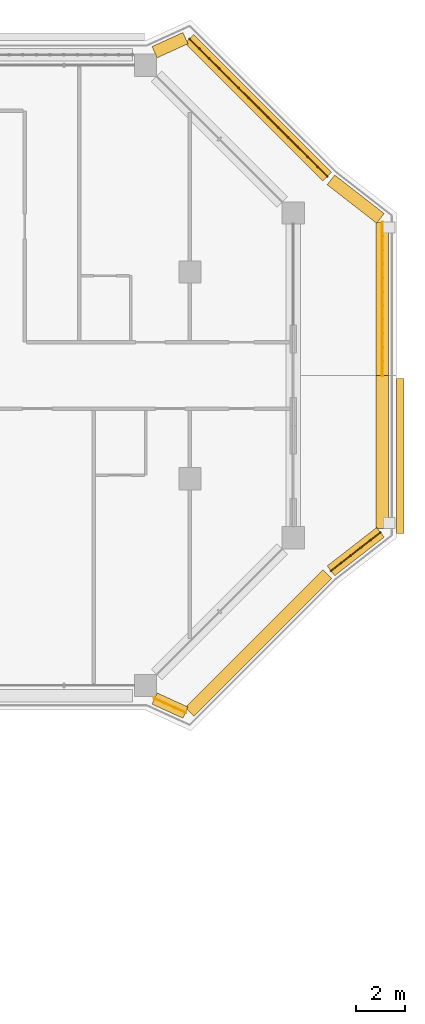
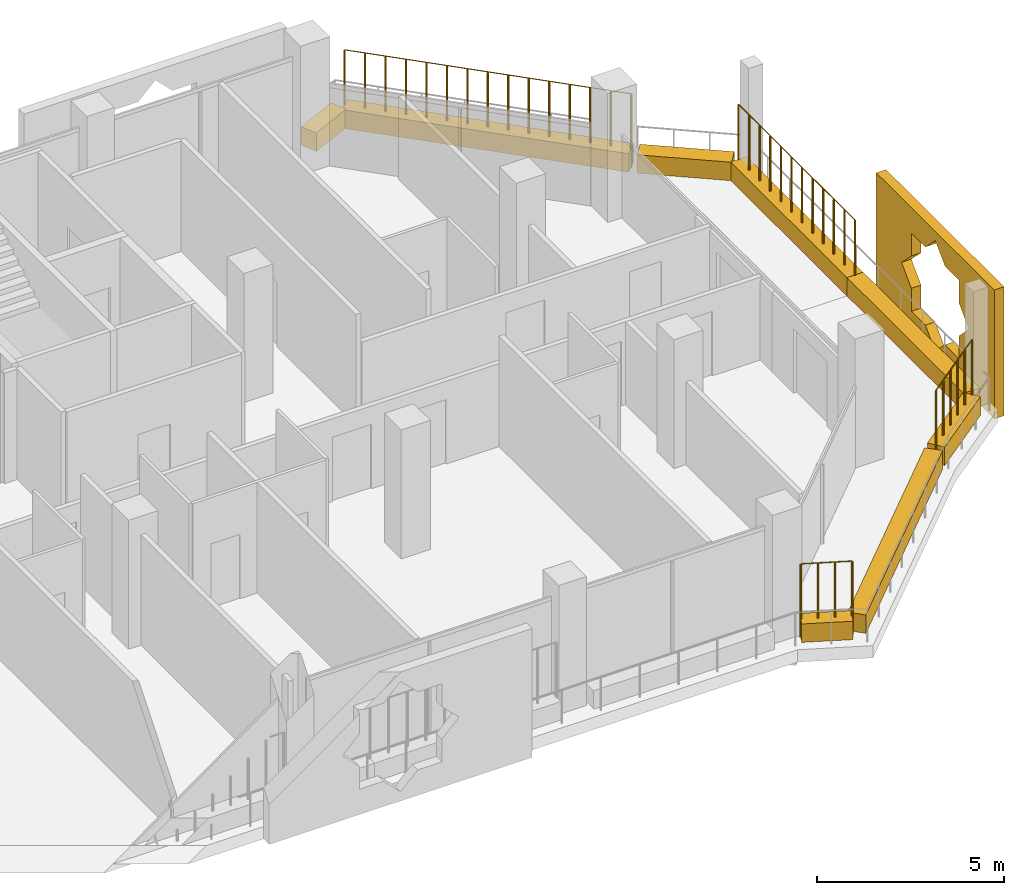
# One storey, part 22 of 22: 9 coverings, 4 railings.
"""IFC4 building model written with IfcOpenShell, lengths in metres."""

from ifc_helpers import new_model, si_unit, direction, frame, origin, origin_2d, place, context, subcontext, project, spatial, polyline, rectangle, circle, outline, extrude, material, material_profile, profile_set, type_object, element, save


model = new_model("IFC4")

# Units and contexts
model_context = context("Model", 3, precision=1e-05, world=origin(), true_north=direction((0.0, 1.0)))
body_context = subcontext(model_context, "Body", "Model", "MODEL_VIEW")
ifc_project = project(units=[si_unit("LENGTHUNIT", "METRE"), si_unit("AREAUNIT", "SQUARE_METRE"), si_unit("VOLUMEUNIT", "CUBIC_METRE"), si_unit("PLANEANGLEUNIT", "RADIAN"), si_unit("MASSUNIT", "GRAM", prefix="KILO")], contexts=[model_context])

# Site, building, storey
site_placement = place(None, origin())
site = spatial("IfcSite", under=ifc_project, at=site_placement, CompositionType="ELEMENT")
building_placement = place(site_placement, origin())
building = spatial("IfcBuilding", under=site, at=building_placement, Name="Kawkab Arch Medical Tower", CompositionType="ELEMENT")
storey_placement = place(building_placement, frame((0.0, 0.0, 251.60009765625)))
storey = spatial("IfcBuildingStorey", under=building, at=storey_placement, Name="L58", CompositionType="ELEMENT", Elevation=251.60009765625)

# Coverings
ifc_material_1 = material(Name="Bronze anodised aluminium mashrabiya panel, eight-point star pattern", Category="aluminium")
ifc_material_profile_1 = material_profile(ifc_material_1, outline(polyline([(-3.14990234375, -2.10009765625), (3.14990234375, -2.10009765625), (3.14990234375, 2.10009765625), (-3.14990234375, 2.10009765625), (-3.14990234375, -2.10009765625)]), holes=[polyline([(1.800048828125, 0.0), (1.272705078125, 0.527099609375), (1.272705078125, 1.272705078125), (0.527099609375, 1.272705078125), (0.0, 1.800048828125), (-0.527099609375, 1.272705078125), (-1.272705078125, 1.272705078125), (-1.272705078125, 0.527099609375), (-1.800048828125, 0.0), (-1.272705078125, -0.527099609375), (-1.272705078125, -1.272705078125), (-0.527099609375, -1.272705078125), (0.0, -1.800048828125), (0.527099609375, -1.272705078125), (1.272705078125, -1.272705078125), (1.272705078125, -0.527099609375), (1.800048828125, 0.0)])]), Name="Mashrabiya panel 6300x4200")
ifc_profile_set_1 = profile_set([ifc_material_profile_1], Name="Bronze anodised aluminium mashrabiya panel, eight-point star pattern")
covering_type_1 = type_object("IfcCoveringType", Name="Mashrabiya panel 6300 x 4200", PredefinedType="USERDEFINED", material=ifc_profile_set_1)
covering_1_placement = place(storey_placement, frame((67.199951171875, -15.877685546875, 1.699951171875), z_axis=(1.0, 0.0, 0.0), x_axis=(0.0, 1.0, 0.0)))
element("IfcCovering", 1, at=covering_1_placement, inside=storey, type_object=covering_type_1, Name="Mashrabiya panel L58.LOG-01-01.9", ObjectType="SCREEN", PredefinedType="USERDEFINED", context=body_context, shape_type="SweptSolid", body=[
    extrude(outline(polyline([(-3.14990234375, -2.10009765625), (3.14990234375, -2.10009765625), (3.14990234375, 2.10009765625), (-3.14990234375, 2.10009765625), (-3.14990234375, -2.10009765625)]), holes=[polyline([(1.800048828125, 0.0), (1.272705078125, 0.527099609375), (1.272705078125, 1.272705078125), (0.527099609375, 1.272705078125), (0.0, 1.800048828125), (-0.527099609375, 1.272705078125), (-1.272705078125, 1.272705078125), (-1.272705078125, 0.527099609375), (-1.800048828125, 0.0), (-1.272705078125, -0.527099609375), (-1.272705078125, -1.272705078125), (-0.527099609375, -1.272705078125), (0.0, -1.800048828125), (0.527099609375, -1.272705078125), (1.272705078125, -1.272705078125), (1.272705078125, -0.527099609375), (1.800048828125, 0.0)])]), origin(), (0.0, 0.0, 1.0), 0.300048828125),
])
ifc_material_2 = material(Name="Planting soil in a precast trough", Category="concrete")
ifc_material_profile_2 = material_profile(ifc_material_2, rectangle(XDim=0.5, YDim=0.60009765625, at=origin_2d()), Name="Trough 500x600")
ifc_profile_set_2 = profile_set([ifc_material_profile_2], Name="Planting soil in a precast trough")
covering_type_2 = type_object("IfcCoveringType", Name="Planter trough 500 x 600", PredefinedType="USERDEFINED", material=ifc_profile_set_2)
covering_2_placement = place(storey_placement, frame((57.366943359375, 0.530029296875, 0.2998046875), z_axis=(0.909831953447, 0.41497688669, 0.0), x_axis=(-0.41497688669, 0.909831953447, 0.0)))
element("IfcCovering", 2, at=covering_2_placement, inside=storey, type_object=covering_type_2, Name="Planter L58.LOG-01-01.24", ObjectType="PLANTER", PredefinedType="USERDEFINED", context=body_context, shape_type="SweptSolid", body=[
    extrude(rectangle(XDim=0.5, YDim=0.60009765625, at=origin_2d()), origin(), (0.0, 0.0, 1.0), 1.37841796875),
])
covering_3_placement = place(storey_placement, frame((58.782958984375, 1.072998046875, 0.2998046875), z_axis=(0.707106781187, -0.707106781187, 0.0), x_axis=(0.707106781187, 0.707106781187, 0.0)))
element("IfcCovering", 3, at=covering_3_placement, inside=storey, type_object=covering_type_2, Name="Planter L58.LOG-01-01.25", ObjectType="PLANTER", PredefinedType="USERDEFINED", context=body_context, shape_type="SweptSolid", body=[
    extrude(rectangle(XDim=0.5, YDim=0.60009765625, at=origin_2d()), origin(), (0.0, 0.0, 1.0), 7.919677734375),
])
covering_4_placement = place(storey_placement, frame((64.531982421875, -4.658935546875, 0.2998046875), z_axis=(0.789274742246, -0.61404021143, 0.0), x_axis=(0.61404021143, 0.789274742246, 0.0)))
element("IfcCovering", 4, at=covering_4_placement, inside=storey, type_object=covering_type_2, Name="Planter L58.LOG-01-01.26", ObjectType="PLANTER", PredefinedType="USERDEFINED", context=body_context, shape_type="SweptSolid", body=[
    extrude(rectangle(XDim=0.5, YDim=0.60009765625, at=origin_2d()), origin(), (0.0, 0.0, 1.0), 2.54541015625),
])
covering_5_placement = place(storey_placement, frame((66.6201171875, -6.384033203125, 0.2998046875), z_axis=(0.0, -1.0, 0.0), x_axis=(1.0, 0.0, 0.0)))
element("IfcCovering", 5, at=covering_5_placement, inside=storey, type_object=covering_type_2, Name="Planter L58.LOG-01-01.27", ObjectType="PLANTER", PredefinedType="USERDEFINED", context=body_context, shape_type="SweptSolid", body=[
    extrude(rectangle(XDim=0.5, YDim=0.60009765625, at=origin_2d()), origin(), (0.0, 0.0, 1.0), 6.216064453125),
])
covering_6_placement = place(storey_placement, frame((66.6201171875, -12.60009765625, 0.2998046875), z_axis=(0.0, -1.0, 0.0), x_axis=(1.0, 0.0, 0.0)))
element("IfcCovering", 6, at=covering_6_placement, inside=storey, type_object=covering_type_2, Name="Planter L58.LOG-01-01.28", ObjectType="PLANTER", PredefinedType="USERDEFINED", context=body_context, shape_type="SweptSolid", body=[
    extrude(rectangle(XDim=0.5, YDim=0.60009765625, at=origin_2d()), origin(), (0.0, 0.0, 1.0), 6.2158203125),
])
covering_7_placement = place(storey_placement, frame((66.541015625, -18.97802734375, 0.2998046875), z_axis=(-0.789274742246, -0.61404021143, 0.0), x_axis=(0.61404021143, -0.789274742246, 0.0)))
element("IfcCovering", 7, at=covering_7_placement, inside=storey, type_object=covering_type_2, Name="Planter L58.LOG-01-01.29", ObjectType="PLANTER", PredefinedType="USERDEFINED", context=body_context, shape_type="SweptSolid", body=[
    extrude(rectangle(XDim=0.5, YDim=0.60009765625, at=origin_2d()), origin(), (0.0, 0.0, 1.0), 2.54541015625),
])
covering_8_placement = place(storey_placement, frame((64.383056640625, -20.673095703125, 0.2998046875), z_axis=(-0.70712219479, -0.707091367247, 0.0), x_axis=(0.707091367247, -0.70712219479, 0.0)))
element("IfcCovering", 8, at=covering_8_placement, inside=storey, type_object=covering_type_2, Name="Planter L58.LOG-01-01.30", ObjectType="PLANTER", PredefinedType="USERDEFINED", context=body_context, shape_type="SweptSolid", body=[
    extrude(rectangle(XDim=0.5, YDim=0.60009765625, at=origin_2d()), origin(), (0.0, 0.0, 1.0), 7.919677734375),
])
covering_9_placement = place(storey_placement, frame((58.62109375, -26.302001953125, 0.2998046875), z_axis=(-0.909831953447, 0.41497688669, 0.0), x_axis=(-0.41497688669, -0.909831953447, 0.0)))
element("IfcCovering", 9, at=covering_9_placement, inside=storey, type_object=covering_type_2, Name="Planter L58.LOG-01-01.31", ObjectType="PLANTER", PredefinedType="USERDEFINED", context=body_context, shape_type="SweptSolid", body=[
    extrude(rectangle(XDim=0.5, YDim=0.60009765625, at=origin_2d()), origin(), (0.0, 0.0, 1.0), 1.37841796875),
])

# Railings
ifc_material_3 = material(Name="Bronze anodised aluminium trellis for climbing plants", Category="aluminium")
railing_type = type_object("IfcRailingType", Name="Planting trellis 2400", PredefinedType="USERDEFINED", material=ifc_material_3)
railing_1_placement = place(storey_placement, frame((58.782958984375, 1.072998046875, 0.0)))
element("IfcRailing", 10, at=railing_1_placement, inside=storey, type_object=railing_type, Name="Planting trellis L58.LOG-01-01.25", ObjectType="TRELLIS", PredefinedType="USERDEFINED", context=body_context, shape_type="SweptSolid", body=[
    extrude(circle(Radius=0.01513671875, at=origin_2d()), frame((0.0, 0.0, 2.384765625), z_axis=(0.707106781187, -0.707106781187, 0.0), x_axis=(0.707106781187, 0.707106781187, 0.0)), (0.0, 0.0, 1.0), 7.919677734375),
    extrude(circle(Radius=0.030029296875, at=origin_2d()), origin(), (0.0, 0.0, 1.0), 2.369873046875),
    extrude(circle(Radius=0.030029296875, at=origin_2d()), frame((0.39990234375, -0.39990234375, 0.0)), (0.0, 0.0, 1.0), 2.369873046875),
    extrude(circle(Radius=0.030029296875, at=origin_2d()), frame((0.800048828125, -0.800048828125, 0.0)), (0.0, 0.0, 1.0), 2.369873046875),
    extrude(circle(Radius=0.030029296875, at=origin_2d()), frame((1.199951171875, -1.199951171875, 0.0)), (0.0, 0.0, 1.0), 2.369873046875),
    extrude(circle(Radius=0.030029296875, at=origin_2d()), frame((1.60009765625, -1.60009765625, 0.0)), (0.0, 0.0, 1.0), 2.369873046875),
    extrude(circle(Radius=0.030029296875, at=origin_2d()), frame((2.0, -2.0, 0.0)), (0.0, 0.0, 1.0), 2.369873046875),
    extrude(circle(Radius=0.030029296875, at=origin_2d()), frame((2.400146484375, -2.400146484375, 0.0)), (0.0, 0.0, 1.0), 2.369873046875),
    extrude(circle(Radius=0.030029296875, at=origin_2d()), frame((2.800048828125, -2.800048828125, 0.0)), (0.0, 0.0, 1.0), 2.369873046875),
    extrude(circle(Radius=0.030029296875, at=origin_2d()), frame((3.199951171875, -3.199951171875, 0.0)), (0.0, 0.0, 1.0), 2.369873046875),
    extrude(circle(Radius=0.030029296875, at=origin_2d()), frame((3.60009765625, -3.60009765625, 0.0)), (0.0, 0.0, 1.0), 2.369873046875),
    extrude(circle(Radius=0.030029296875, at=origin_2d()), frame((4.0, -4.0, 0.0)), (0.0, 0.0, 1.0), 2.369873046875),
    extrude(circle(Radius=0.030029296875, at=origin_2d()), frame((4.400146484375, -4.400146484375, 0.0)), (0.0, 0.0, 1.0), 2.369873046875),
    extrude(circle(Radius=0.030029296875, at=origin_2d()), frame((4.800048828125, -4.800048828125, 0.0)), (0.0, 0.0, 1.0), 2.369873046875),
    extrude(circle(Radius=0.030029296875, at=origin_2d()), frame((5.2001953125, -5.2001953125, 0.0)), (0.0, 0.0, 1.0), 2.369873046875),
    extrude(circle(Radius=0.030029296875, at=origin_2d()), frame((5.60009765625, -5.60009765625, 0.0)), (0.0, 0.0, 1.0), 2.369873046875),
])
railing_2_placement = place(storey_placement, frame((66.6201171875, -6.384033203125, 0.0)))
element("IfcRailing", 11, at=railing_2_placement, inside=storey, type_object=railing_type, Name="Planting trellis L58.LOG-01-01.27", ObjectType="TRELLIS", PredefinedType="USERDEFINED", context=body_context, shape_type="SweptSolid", body=[
    extrude(circle(Radius=0.01513671875, at=origin_2d()), frame((0.0, 0.0, 2.384765625), z_axis=(0.0, -1.0, 0.0), x_axis=(1.0, 0.0, 0.0)), (0.0, 0.0, 1.0), 6.216064453125),
    extrude(circle(Radius=0.030029296875, at=origin_2d()), origin(), (0.0, 0.0, 1.0), 2.369873046875),
    extrude(circle(Radius=0.030029296875, at=origin_2d()), frame((0.0, -0.565185546875, 0.0)), (0.0, 0.0, 1.0), 2.369873046875),
    extrude(circle(Radius=0.030029296875, at=origin_2d()), frame((0.0, -1.130126953125, 0.0)), (0.0, 0.0, 1.0), 2.369873046875),
    extrude(circle(Radius=0.030029296875, at=origin_2d()), frame((0.0, -1.6953125, 0.0)), (0.0, 0.0, 1.0), 2.369873046875),
    extrude(circle(Radius=0.030029296875, at=origin_2d()), frame((0.0, -2.260498046875, 0.0)), (0.0, 0.0, 1.0), 2.369873046875),
    extrude(circle(Radius=0.030029296875, at=origin_2d()), frame((0.0, -2.825439453125, 0.0)), (0.0, 0.0, 1.0), 2.369873046875),
    extrude(circle(Radius=0.030029296875, at=origin_2d()), frame((0.0, -3.390625, 0.0)), (0.0, 0.0, 1.0), 2.369873046875),
    extrude(circle(Radius=0.030029296875, at=origin_2d()), frame((0.0, -3.95556640625, 0.0)), (0.0, 0.0, 1.0), 2.369873046875),
    extrude(circle(Radius=0.030029296875, at=origin_2d()), frame((0.0, -4.520751953125, 0.0)), (0.0, 0.0, 1.0), 2.369873046875),
    extrude(circle(Radius=0.030029296875, at=origin_2d()), frame((0.0, -5.0859375, 0.0)), (0.0, 0.0, 1.0), 2.369873046875),
    extrude(circle(Radius=0.030029296875, at=origin_2d()), frame((0.0, -5.65087890625, 0.0)), (0.0, 0.0, 1.0), 2.369873046875),
    extrude(circle(Radius=0.030029296875, at=origin_2d()), frame((0.0, -6.216064453125, 0.0)), (0.0, 0.0, 1.0), 2.369873046875),
])
railing_3_placement = place(storey_placement, frame((66.541015625, -18.97802734375, 0.0)))
element("IfcRailing", 12, at=railing_3_placement, inside=storey, type_object=railing_type, Name="Planting trellis L58.LOG-01-01.29", ObjectType="TRELLIS", PredefinedType="USERDEFINED", context=body_context, shape_type="SweptSolid", body=[
    extrude(circle(Radius=0.01513671875, at=origin_2d()), frame((0.0, 0.0, 2.384765625), z_axis=(-0.789274742246, -0.61404021143, 0.0), x_axis=(0.61404021143, -0.789274742246, 0.0)), (0.0, 0.0, 1.0), 2.54541015625),
    extrude(circle(Radius=0.030029296875, at=origin_2d()), origin(), (0.0, 0.0, 1.0), 2.369873046875),
    extrude(circle(Radius=0.030029296875, at=origin_2d()), frame((-0.40185546875, -0.3125, 0.0)), (0.0, 0.0, 1.0), 2.369873046875),
    extrude(circle(Radius=0.030029296875, at=origin_2d()), frame((-0.8037109375, -0.625244140625, 0.0)), (0.0, 0.0, 1.0), 2.369873046875),
    extrude(circle(Radius=0.030029296875, at=origin_2d()), frame((-1.205322265625, -0.937744140625, 0.0)), (0.0, 0.0, 1.0), 2.369873046875),
    extrude(circle(Radius=0.030029296875, at=origin_2d()), frame((-1.607177734375, -1.25048828125, 0.0)), (0.0, 0.0, 1.0), 2.369873046875),
    extrude(circle(Radius=0.030029296875, at=origin_2d()), frame((-2.009033203125, -1.56298828125, 0.0)), (0.0, 0.0, 1.0), 2.369873046875),
])
railing_4_placement = place(storey_placement, frame((58.62109375, -26.302001953125, 0.0)))
element("IfcRailing", 13, at=railing_4_placement, inside=storey, type_object=railing_type, Name="Planting trellis L58.LOG-01-01.31", ObjectType="TRELLIS", PredefinedType="USERDEFINED", context=body_context, shape_type="SweptSolid", body=[
    extrude(circle(Radius=0.01513671875, at=origin_2d()), frame((0.0, 0.0, 2.384765625), z_axis=(-0.909831953447, 0.41497688669, 0.0), x_axis=(-0.41497688669, -0.909831953447, 0.0)), (0.0, 0.0, 1.0), 1.37841796875),
    extrude(circle(Radius=0.030029296875, at=origin_2d()), origin(), (0.0, 0.0, 1.0), 2.369873046875),
    extrude(circle(Radius=0.030029296875, at=origin_2d()), frame((-0.41796875, 0.190673828125, 0.0)), (0.0, 0.0, 1.0), 2.369873046875),
    extrude(circle(Radius=0.030029296875, at=origin_2d()), frame((-0.836181640625, 0.38134765625, 0.0)), (0.0, 0.0, 1.0), 2.369873046875),
    extrude(circle(Radius=0.030029296875, at=origin_2d()), frame((-1.254150390625, 0.572021484375, 0.0)), (0.0, 0.0, 1.0), 2.369873046875),
])

save(model, "model.ifc")
